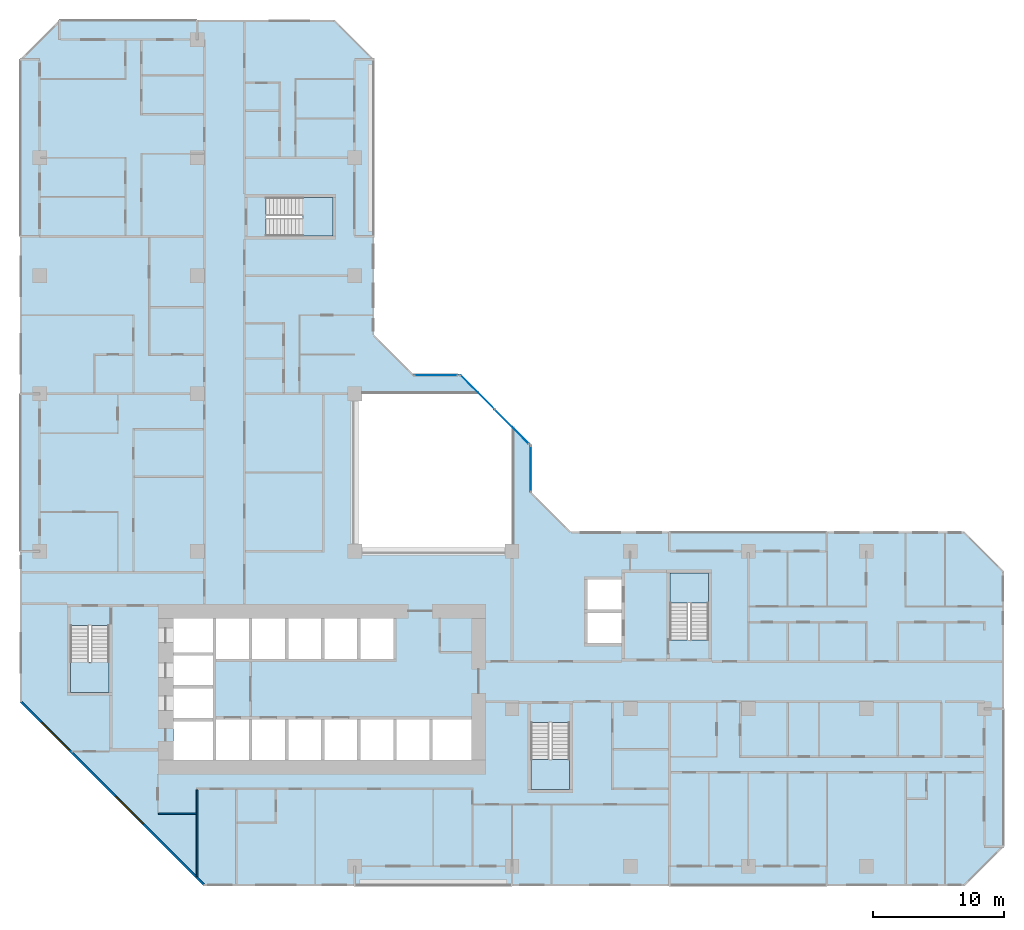
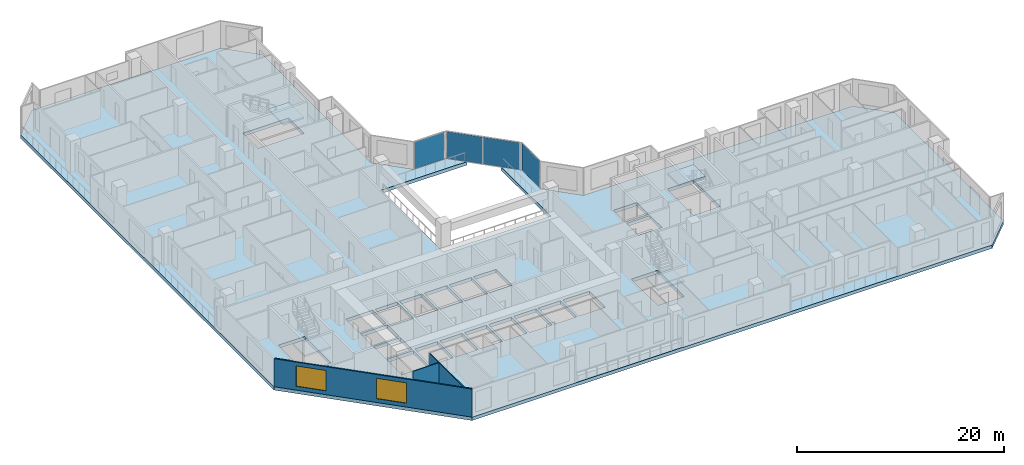
# One storey, part 3 of 16: 5 slabs, 4 plates, 3 walls, 2 windows, 2 openings, 7 elements without a shape of their own.
"""IFC4 building model written with IfcOpenShell, lengths in metres."""

from ifc_helpers import new_model, si_unit, direction, frame, frame_2d, origin, origin_2d, place, context, subcontext, project, spatial, polyline, rectangle, outline, extrude, material, layer, layer_set, type_object, element, fill, aggregate, save


model = new_model("IFC4")

# Units and contexts
model_context = context("Model", 3, precision=1e-05, world=origin(), true_north=direction((0.0, 1.0)))
body_context = subcontext(model_context, "Body", "Model", "MODEL_VIEW")
ifc_project = project(units=[si_unit("LENGTHUNIT", "METRE"), si_unit("AREAUNIT", "SQUARE_METRE"), si_unit("VOLUMEUNIT", "CUBIC_METRE"), si_unit("PLANEANGLEUNIT", "RADIAN"), si_unit("MASSUNIT", "GRAM", prefix="KILO")], contexts=[model_context])

# Site, building, storey
site_placement = place(None, origin())
site = spatial("IfcSite", under=ifc_project, at=site_placement, CompositionType="ELEMENT")
building_placement = place(site_placement, origin())
building = spatial("IfcBuilding", under=site, at=building_placement, Name="Chenar Terraces", CompositionType="ELEMENT")
storey_placement = place(building_placement, frame((0.0, 0.0, 82.64990234375)))
storey = spatial("IfcBuildingStorey", under=building, at=storey_placement, Name="L18", CompositionType="ELEMENT", Elevation=82.64990234375)

# Curtain wall, plate
ifc_material_1 = material(Name="Aluminium framed glazing", Category="aluminium")
ifc_layer_1 = layer(ifc_material_1, 0.14990234375)
ifc_layer_set_1 = layer_set([ifc_layer_1], Name="Aluminium framed glazing")
curtain_wall_type = type_object("IfcCurtainWallType", Name="Atrium curtain wall", PredefinedType="NOTDEFINED", material=ifc_layer_set_1)
placement_1 = place(storey_placement, origin())
curtain_wall_1 = element("IfcCurtainWall", 1, at=placement_1, inside=storey, type_object=curtain_wall_type, Name="Atrium curtain wall", PredefinedType="NOTDEFINED")
ifc_material_2 = material(Name="Low emissivity laminated glass, solar control coating", Category="glass")
ifc_layer_2 = layer(ifc_material_2, 0.028076171875)
ifc_layer_set_2 = layer_set([ifc_layer_2], Name="Low emissivity laminated glass, solar control coating")
plate_type = type_object("IfcPlateType", Name="Atrium glazing panel 28", PredefinedType="CURTAIN_PANEL", material=ifc_layer_set_2)
plate_1_placement = place(storey_placement, frame((37.425048828125, 30.300048828125, 0.06005859375), z_axis=(0.0, 0.0, 1.0), x_axis=(0.0, 1.0, 0.0)))
plate_1 = element("IfcPlate", 2, at=plate_1_placement, type_object=plate_type, Name="CW1-1 panel 1.1", PredefinedType="CURTAIN_PANEL", context=body_context, shape_type="SweptSolid", body=[
    extrude(rectangle(XDim=3.47998046875, YDim=0.028076171875, at=origin_2d()), origin(), (0.0, 0.0, 1.0), 3.179931640625),
])
aggregate(curtain_wall_1, [plate_1])

# Curtain wall, plates
curtain_wall_2 = element("IfcCurtainWall", 3, at=placement_1, inside=storey, type_object=curtain_wall_type, Name="Atrium curtain wall", PredefinedType="NOTDEFINED")
plate_2_placement = place(storey_placement, frame((35.980224609375, 33.513671875, 0.06005859375), z_axis=(0.0, 0.0, 1.0), x_axis=(-0.707106781187, 0.707106781187, 0.0)))
plate_2 = element("IfcPlate", 4, at=plate_2_placement, type_object=plate_type, Name="CW1-2 panel 1.1", PredefinedType="CURTAIN_PANEL", context=body_context, shape_type="SweptSolid", body=[
    extrude(rectangle(XDim=3.62841796875, YDim=0.028076171875, at=origin_2d()), origin(), (0.0, 0.0, 1.0), 3.179931640625),
])
plate_3_placement = place(storey_placement, frame((33.3720703125, 36.121826171875, 0.06005859375), z_axis=(0.0, 0.0, 1.0), x_axis=(-0.707106781187, 0.707106781187, 0.0)))
plate_3 = element("IfcPlate", 5, at=plate_3_placement, type_object=plate_type, Name="CW1-2 panel 2.1", PredefinedType="CURTAIN_PANEL", context=body_context, shape_type="SweptSolid", body=[
    extrude(rectangle(XDim=3.62841796875, YDim=0.028076171875, at=origin_2d()), origin(), (0.0, 0.0, 1.0), 3.179931640625),
])
aggregate(curtain_wall_2, [plate_2, plate_3])

# Curtain wall, plate
curtain_wall_3 = element("IfcCurtainWall", 6, at=placement_1, inside=storey, type_object=curtain_wall_type, Name="Atrium curtain wall", PredefinedType="NOTDEFINED")
plate_4_placement = place(storey_placement, frame((30.199951171875, 37.425048828125, 0.06005859375), z_axis=(0.0, 0.0, 1.0), x_axis=(-1.0, 0.0, 0.0)))
plate_4 = element("IfcPlate", 7, at=plate_4_placement, type_object=plate_type, Name="CW1-3 panel 1.1", PredefinedType="CURTAIN_PANEL", context=body_context, shape_type="SweptSolid", body=[
    extrude(rectangle(XDim=3.280029296875, YDim=0.028076171875, at=origin_2d()), origin(), (0.0, 0.0, 1.0), 3.179931640625),
])
aggregate(curtain_wall_3, [plate_4])

# Stair, slab
ifc_material_3 = material(Name="Reinforced concrete C40/50", Category="concrete")
stair_type = type_object("IfcStairType", Name="Core stair 1400 half-turn", PredefinedType="HALF_TURN_STAIR", material=ifc_material_3)
stair_1 = element("IfcStair", 8, at=placement_1, inside=storey, type_object=stair_type, Name="L18 Stair 1", PredefinedType="HALF_TURN_STAIR")
ifc_material_4 = material(Name="Reinforced concrete C40/50", Category="concrete")
ifc_layer_3 = layer(ifc_material_4, 0.199951171875)
ifc_layer_set_3 = layer_set([ifc_layer_3], Name="Reinforced concrete C40/50")
slab_type_1 = type_object("IfcSlabType", Name="Core stair landing 200", PredefinedType="LANDING", material=ifc_layer_set_3)
placement_2 = place(storey_placement, frame((0.0, 0.0, 1.675048828125)))
slab_1 = element("IfcSlab", 9, at=placement_2, type_object=slab_type_1, Name="ST1 landing 1", PredefinedType="LANDING", context=body_context, shape_type="SweptSolid", body=[
    extrude(outline(polyline([(2.35009765625, 15.550048828125), (2.35009765625, 13.25), (5.300048828125, 13.25), (5.300048828125, 15.550048828125), (2.35009765625, 15.550048828125)])), origin(), (0.0, 0.0, 1.0), 0.199951171875),
])
aggregate(stair_1, [slab_1])

stair_2 = element("IfcStair", 10, at=placement_1, inside=storey, type_object=stair_type, Name="L18 Stair 2", PredefinedType="HALF_TURN_STAIR")
slab_2 = element("IfcSlab", 11, at=placement_2, type_object=slab_type_1, Name="ST2 landing 1", PredefinedType="LANDING", context=body_context, shape_type="SweptSolid", body=[
    extrude(outline(polyline([(37.449951171875, 8.14990234375), (37.449951171875, 5.85009765625), (40.39990234375, 5.85009765625), (40.39990234375, 8.14990234375), (37.449951171875, 8.14990234375)])), origin(), (0.0, 0.0, 1.0), 0.199951171875),
])
aggregate(stair_2, [slab_2])

stair_3 = element("IfcStair", 12, at=placement_1, inside=storey, type_object=stair_type, Name="L18 Stair 3", PredefinedType="HALF_TURN_STAIR")
slab_3 = element("IfcSlab", 13, at=placement_2, type_object=slab_type_1, Name="ST3 landing 1", PredefinedType="LANDING", context=body_context, shape_type="SweptSolid", body=[
    extrude(outline(polyline([(50.97509765625, 20.050048828125), (50.97509765625, 22.35009765625), (48.02490234375, 22.35009765625), (48.02490234375, 20.050048828125), (50.97509765625, 20.050048828125)])), origin(), (0.0, 0.0, 1.0), 0.199951171875),
])
aggregate(stair_3, [slab_3])

stair_4 = element("IfcStair", 14, at=placement_1, inside=storey, type_object=stair_type, Name="L18 Stair 4", PredefinedType="HALF_TURN_STAIR")
slab_4 = element("IfcSlab", 15, at=placement_2, type_object=slab_type_1, Name="ST4 landing 1", PredefinedType="LANDING", context=body_context, shape_type="SweptSolid", body=[
    extrude(outline(polyline([(20.050048828125, 48.02490234375), (22.35009765625, 48.02490234375), (22.35009765625, 50.97509765625), (20.050048828125, 50.97509765625), (20.050048828125, 48.02490234375)])), origin(), (0.0, 0.0, 1.0), 0.199951171875),
])
aggregate(stair_4, [slab_4])

# Slab
ifc_material_5 = material(Name="Concrete C40/50", Category="concrete")
ifc_layer_4 = layer(ifc_material_5, 0.39990234375)
ifc_layer_set_4 = layer_set([ifc_layer_4], Name="Concrete C40/50")
slab_type_2 = type_object("IfcSlabType", Name="Floor slab 400 Concrete C40/50", PredefinedType="FLOOR", material=ifc_layer_set_4)
slab_5_placement = place(storey_placement, frame((0.0, 0.0, -0.39990234375)))
element("IfcSlab", 16, at=slab_5_placement, inside=storey, type_object=slab_type_2, Name="Floor slab L18", PredefinedType="FLOOR", context=body_context, shape_type="SweptSolid", body=[
    extrude(outline(polyline([(73.5, 22.5), (73.5, 1.5), (70.5, -1.5), (12.5, -1.5), (-1.5, 12.5), (-1.5, 61.5), (1.5, 64.5), (22.5, 64.5), (25.5, 61.5), (25.5, 40.5), (28.5, 37.5), (32.10009765625, 37.5), (33.60009765625, 36.0), (24.0, 36.0), (24.0, 24.0), (36.0, 24.0), (36.0, 33.60009765625), (37.5, 32.10009765625), (37.5, 28.5), (40.5, 25.5), (70.5, 25.5), (73.5, 22.5)]), holes=[polyline([(13.199951171875, 11.050048828125), (10.199951171875, 11.050048828125), (10.199951171875, 8.10009765625), (13.199951171875, 8.10009765625), (13.199951171875, 11.050048828125)]), polyline([(15.949951171875, 11.199951171875), (13.449951171875, 11.199951171875), (13.449951171875, 8.10009765625), (15.949951171875, 8.10009765625), (15.949951171875, 11.199951171875)]), polyline([(18.699951171875, 11.199951171875), (16.199951171875, 11.199951171875), (16.199951171875, 8.10009765625), (18.699951171875, 8.10009765625), (18.699951171875, 11.199951171875)]), polyline([(21.449951171875, 8.10009765625), (21.449951171875, 11.199951171875), (18.949951171875, 11.199951171875), (18.949951171875, 8.10009765625), (21.449951171875, 8.10009765625)]), polyline([(13.199951171875, 11.300048828125), (13.199951171875, 13.550048828125), (10.199951171875, 13.550048828125), (10.199951171875, 11.300048828125), (13.199951171875, 11.300048828125)]), polyline([(13.199951171875, 16.050048828125), (10.199951171875, 16.050048828125), (10.199951171875, 13.800048828125), (13.199951171875, 13.800048828125), (13.199951171875, 16.050048828125)]), polyline([(2.35009765625, 18.35009765625), (2.35009765625, 13.25), (5.300048828125, 13.25), (5.300048828125, 18.35009765625), (2.35009765625, 18.35009765625)]), polyline([(15.949951171875, 15.800048828125), (15.949951171875, 18.89990234375), (13.449951171875, 18.89990234375), (13.449951171875, 15.800048828125), (15.949951171875, 15.800048828125)]), polyline([(18.699951171875, 18.89990234375), (16.199951171875, 18.89990234375), (16.199951171875, 15.800048828125), (18.699951171875, 15.800048828125), (18.699951171875, 18.89990234375)]), polyline([(21.449951171875, 15.800048828125), (21.449951171875, 18.89990234375), (18.949951171875, 18.89990234375), (18.949951171875, 15.800048828125), (21.449951171875, 15.800048828125)]), polyline([(13.199951171875, 16.300048828125), (13.199951171875, 18.89990234375), (10.199951171875, 18.89990234375), (10.199951171875, 16.300048828125), (13.199951171875, 16.300048828125)]), polyline([(22.35009765625, 48.02490234375), (22.35009765625, 50.97509765625), (17.25, 50.97509765625), (17.25, 48.02490234375), (22.35009765625, 48.02490234375)]), polyline([(37.449951171875, 10.949951171875), (37.449951171875, 5.85009765625), (40.39990234375, 5.85009765625), (40.39990234375, 10.949951171875), (37.449951171875, 10.949951171875)]), polyline([(24.199951171875, 8.10009765625), (24.199951171875, 11.199951171875), (21.699951171875, 11.199951171875), (21.699951171875, 8.10009765625), (24.199951171875, 8.10009765625)]), polyline([(26.949951171875, 11.199951171875), (24.449951171875, 11.199951171875), (24.449951171875, 8.10009765625), (26.949951171875, 8.10009765625), (26.949951171875, 11.199951171875)]), polyline([(29.699951171875, 8.10009765625), (29.699951171875, 11.199951171875), (27.199951171875, 11.199951171875), (27.199951171875, 8.10009765625), (29.699951171875, 8.10009765625)]), polyline([(32.89990234375, 8.10009765625), (32.89990234375, 11.199951171875), (29.949951171875, 11.199951171875), (29.949951171875, 8.10009765625), (32.89990234375, 8.10009765625)]), polyline([(24.199951171875, 18.89990234375), (21.699951171875, 18.89990234375), (21.699951171875, 15.800048828125), (24.199951171875, 15.800048828125), (24.199951171875, 18.89990234375)]), polyline([(26.949951171875, 15.800048828125), (26.949951171875, 18.89990234375), (24.449951171875, 18.89990234375), (24.449951171875, 15.800048828125), (26.949951171875, 15.800048828125)]), polyline([(44.35009765625, 17.0), (44.35009765625, 19.300048828125), (41.75, 19.300048828125), (41.75, 17.0), (44.35009765625, 17.0)]), polyline([(50.97509765625, 22.35009765625), (48.02490234375, 22.35009765625), (48.02490234375, 17.25), (50.97509765625, 17.25), (50.97509765625, 22.35009765625)]), polyline([(44.35009765625, 19.550048828125), (44.35009765625, 21.85009765625), (41.75, 21.85009765625), (41.75, 19.550048828125), (44.35009765625, 19.550048828125)])]), origin(), (0.0, 0.0, 1.0), 0.39990234375),
])

# Walls
ifc_material_6 = material(Name="Gypsum board on steel studs", Category="steel")
ifc_layer_5 = layer(ifc_material_6, 0.10009765625)
ifc_layer_set_5 = layer_set([ifc_layer_5], Name="Gypsum board on steel studs")
wall_type_1 = type_object("IfcWallType", Name="Gypsum partition 100", PredefinedType="PARTITIONING", material=ifc_layer_set_5)
wall_1_placement = place(storey_placement, frame((9.050048828125, 4.0, 0.0), z_axis=(0.0, 0.0, 1.0), x_axis=(1.0, 0.0, 0.0)))
element("IfcWall", 17, at=wall_1_placement, inside=storey, type_object=wall_type_1, Name="Partition L18-031", PredefinedType="PARTITIONING", context=body_context, shape_type="SweptSolid", body=[
    extrude(rectangle(XDim=2.89990234375, YDim=0.10009765625, at=frame_2d((1.449951171875, 0.0))), origin(), (0.0, 0.0, 1.0), 3.300048828125),
])
wall_2_placement = place(storey_placement, frame((12.0, -0.787841796875, 0.0), z_axis=(0.0, 0.0, 1.0), x_axis=(0.0, 1.0, 0.0)))
element("IfcWall", 18, at=wall_2_placement, inside=storey, type_object=wall_type_1, Name="Partition L18-033", PredefinedType="PARTITIONING", context=body_context, shape_type="SweptSolid", body=[
    extrude(rectangle(XDim=6.61279296875, YDim=0.10009765625, at=frame_2d((3.306396484375, 0.0))), origin(), (0.0, 0.0, 1.0), 3.300048828125),
])

# Wall, openings, windows
ifc_material_7 = material(Name="Terracotta cladding on insulated backing", Category="masonry")
ifc_layer_6 = layer(ifc_material_7, 0.14990234375)
ifc_layer_set_6 = layer_set([ifc_layer_6], Name="Terracotta cladding on insulated backing")
wall_type_2 = type_object("IfcWallType", Name="Terracotta rainscreen wall 150", PredefinedType="SOLIDWALL", material=ifc_layer_set_6)
wall_3_placement = place(storey_placement, frame((-1.447021484375, 12.552978515625, 0.0), z_axis=(0.0, 0.0, 1.0), x_axis=(0.707106781187, -0.707106781187, 0.0)))
wall_3 = element("IfcWall", 19, at=wall_3_placement, inside=storey, type_object=wall_type_2, Name="Terracotta rainscreen wall", PredefinedType="SOLIDWALL", context=body_context, shape_type="SweptSolid", body=[
    extrude(rectangle(XDim=19.799072265625, YDim=0.14990234375, at=frame_2d((9.8994140625, 0.0))), origin(), (0.0, 0.0, 1.0), 3.300048828125),
])
opening_1_placement = place(wall_3_placement, frame((2.21240234375, 0.0, 0.449951171875)))
opening_1 = element("IfcOpeningElement", 20, at=opening_1_placement, cuts=wall_3, Name="Opening W300x240", PredefinedType="OPENING", context=body_context, shape_type="SweptSolid", body=[
    extrude(rectangle(XDim=3.0, YDim=2.39990234375, at=frame_2d((1.5, 1.199951171875))), frame((0.0, 0.0849609375, 0.0), z_axis=(0.0, -1.0, 0.0), x_axis=(1.0, 0.0, 0.0)), (0.0, 0.0, 1.0), 0.169921875),
])
opening_2_placement = place(wall_3_placement, frame((10.215576171875, 0.0, 0.449951171875)))
opening_2 = element("IfcOpeningElement", 21, at=opening_2_placement, cuts=wall_3, Name="Opening W300x240", PredefinedType="OPENING", context=body_context, shape_type="SweptSolid", body=[
    extrude(rectangle(XDim=3.0, YDim=2.39990234375, at=frame_2d((1.5, 1.199951171875))), frame((0.0, 0.0849609375, 0.0), z_axis=(0.0, -1.0, 0.0), x_axis=(1.0, 0.0, 0.0)), (0.0, 0.0, 1.0), 0.169921875),
])
ifc_material_8 = material(Name="Low emissivity double glazing, aluminium frame", Category="aluminium")
window_type = type_object("IfcWindowType", Name="Fixed light 3000 x 2400", PartitioningType="SINGLE_PANEL", PredefinedType="WINDOW", material=ifc_material_8)
window_1_placement = place(opening_1_placement, origin())
window_1 = element("IfcWindow", 22, at=window_1_placement, inside=storey, type_object=window_type, Name="Window", OverallHeight=2.39990234375, OverallWidth=3.0, PartitioningType="SINGLE_PANEL", PredefinedType="WINDOW", context=body_context, shape_type="SweptSolid", body=[
    extrude(rectangle(XDim=3.0, YDim=2.39990234375, at=frame_2d((1.5, 1.199951171875))), frame((0.0, 0.030029296875, 0.0), z_axis=(0.0, -1.0, 0.0), x_axis=(1.0, 0.0, 0.0)), (0.0, 0.0, 1.0), 0.06005859375),
])
fill(opening_1, window_1)
window_2_placement = place(opening_2_placement, origin())
window_2 = element("IfcWindow", 23, at=window_2_placement, inside=storey, type_object=window_type, Name="Window", OverallHeight=2.39990234375, OverallWidth=3.0, PartitioningType="SINGLE_PANEL", PredefinedType="WINDOW", context=body_context, shape_type="SweptSolid", body=[
    extrude(rectangle(XDim=3.0, YDim=2.39990234375, at=frame_2d((1.5, 1.199951171875))), frame((0.0, 0.030029296875, 0.0), z_axis=(0.0, -1.0, 0.0), x_axis=(1.0, 0.0, 0.0)), (0.0, 0.0, 1.0), 0.06005859375),
])
fill(opening_2, window_2)

save(model, "model.ifc")
